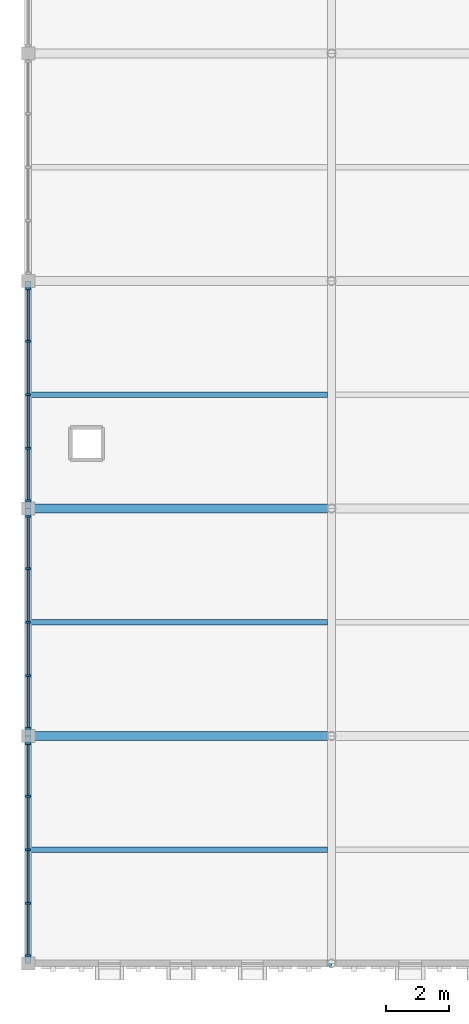
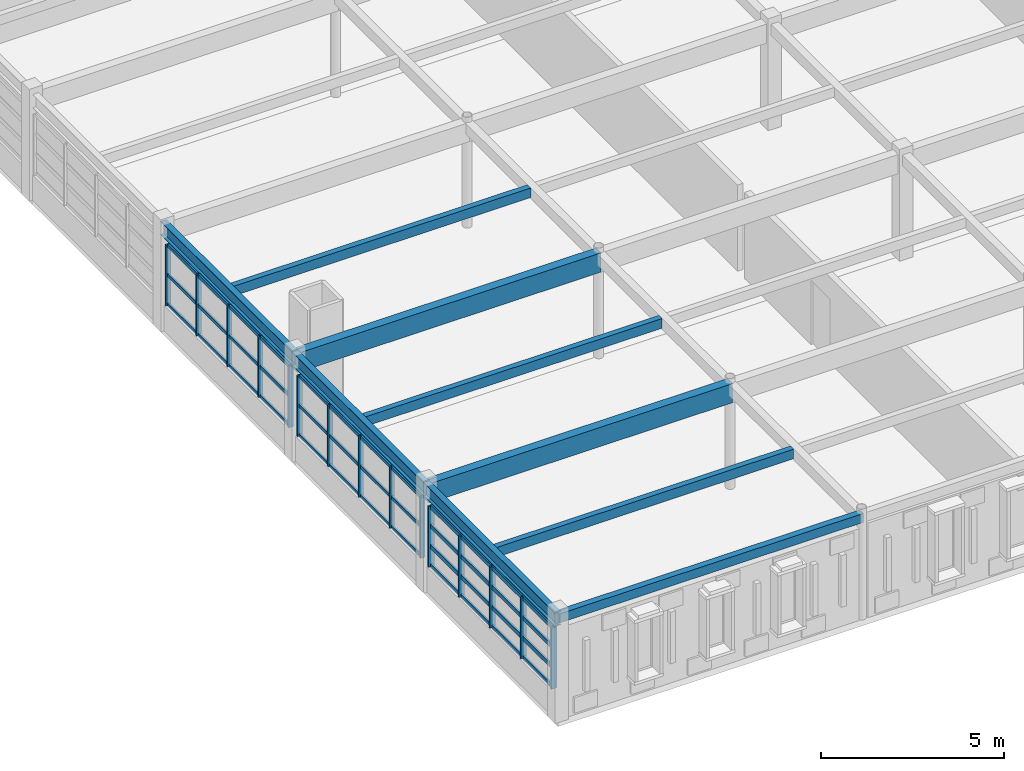
# One storey, part 5 of 25: 55 members, 9 beams, 3 elements without a shape of their own.
"""IFC4 building model written with IfcOpenShell, lengths in metres."""

import ifcopenshell
import ifcopenshell.guid

model = None  # the IFC model being written
_history = None  # IfcOwnerHistory: only IFC2X3 demands one
_inside = {}  # id of a spatial element -> (the spatial element, [elements in it])
_under = {}  # id of a project, library or spatial element -> (it, [spatial elements below it])
_declared = {}  # id of a project -> (the project, [libraries it declares])
_typed = {}  # id of a type object -> (the type object, [elements of that type])
_made_of = {}  # id of a material, layer set ... -> (it, [elements and type objects made of it])


def new_model(schema):
    """Start an empty IFC model of exactly this schema.

    Asked for "IFC4X3", IfcOpenShell would pick the latest addendum, in which some entities
    have other attributes; the version numbers below select the first issue.
    IFC2X3 requires an IfcOwnerHistory on every rooted entity: one is made here for all.
    """
    global model, _history
    if schema == "IFC4X3":
        model = ifcopenshell.file(schema_version=(4, 3, 0, 0))
    else:
        model = ifcopenshell.file(schema=schema)
    _inside.clear()
    _under.clear()
    _declared.clear()
    _typed.clear()
    _made_of.clear()
    _history = None
    if model.schema == "IFC2X3":
        org = make("IfcOrganization", Name="unknown")
        user = make(
            "IfcPersonAndOrganization",
            ThePerson=make("IfcPerson", FamilyName="unknown"),
            TheOrganization=org,
        )
        app = make(
            "IfcApplication",
            ApplicationDeveloper=org,
            Version="unknown",
            ApplicationFullName="unknown",
            ApplicationIdentifier="unknown",
        )
        _history = make(
            "IfcOwnerHistory",
            OwningUser=user,
            OwningApplication=app,
            ChangeAction="ADDED",
            CreationDate=0,
        )
    return model


def make(cls, **values):
    """One entity of the class cls with the attributes given. An attribute that is None is left unset."""
    return model.create_entity(
        cls, **{name: value for name, value in values.items() if value is not None}
    )


def rooted(cls, **values):
    """An entity with a GlobalId (a new one), such as an element, a storey or a relation."""
    return make(cls, GlobalId=ifcopenshell.guid.new(), OwnerHistory=_history, **values)


def si_unit(unit_type, name, prefix=None):
    """IfcSIUnit, for example si_unit("LENGTHUNIT", "METRE", prefix="MILLI")."""
    return make("IfcSIUnit", UnitType=unit_type, Prefix=prefix, Name=name)


def assignment(units):
    """IfcUnitAssignment: the units of a project."""
    return None if units is None else make("IfcUnitAssignment", Units=units)


def point(xyz):
    """IfcCartesianPoint."""
    return None if xyz is None else make("IfcCartesianPoint", Coordinates=xyz)


def direction(xyz):
    """IfcDirection."""
    return None if xyz is None else make("IfcDirection", DirectionRatios=xyz)


def frame(location, z_axis=None, x_axis=None):
    """IfcAxis2Placement3D, a coordinate frame: its origin and axes. An axis left out is left unset."""
    return make(
        "IfcAxis2Placement3D",
        Location=point(location),
        Axis=direction(z_axis),
        RefDirection=direction(x_axis),
    )


def frame_2d(location, x_axis=None):
    """IfcAxis2Placement2D, a coordinate frame in the plane: its origin and x axis."""
    return make(
        "IfcAxis2Placement2D", Location=point(location), RefDirection=direction(x_axis)
    )


def origin():
    """The frame at (0, 0, 0) with its axes left unset."""
    return frame((0.0, 0.0, 0.0))


def origin_2d():
    """The frame at (0, 0) in the plane with its x axis left unset."""
    return frame_2d((0.0, 0.0))


def place(relative_to, where):
    """IfcLocalPlacement: puts the frame where relative to a parent placement (None: the world)."""
    return make(
        "IfcLocalPlacement", PlacementRelTo=relative_to, RelativePlacement=where
    )


def context(
    kind, dimensions, precision=None, world=None, true_north=None, identifier=None
):
    """IfcGeometricRepresentationContext, for example the 3D "Model" context."""
    return make(
        "IfcGeometricRepresentationContext",
        ContextIdentifier=identifier,
        ContextType=kind,
        CoordinateSpaceDimension=dimensions,
        Precision=precision,
        WorldCoordinateSystem=world,
        TrueNorth=true_north,
    )


def subcontext(parent, identifier, kind, view, scale=None):
    """IfcGeometricRepresentationSubContext, for example "Body" below "Model"."""
    return make(
        "IfcGeometricRepresentationSubContext",
        ContextIdentifier=identifier,
        ContextType=kind,
        ParentContext=parent,
        TargetScale=scale,
        TargetView=view,
    )


def project(units=None, contexts=None):
    """IfcProject with its units and contexts."""
    return rooted(
        "IfcProject",
        Name="project",
        RepresentationContexts=contexts,
        UnitsInContext=assignment(units),
    )


def spatial(cls, under=None, at=None, **own):
    """A site, building, storey or space (cls), placed at a placement, below another one or the project."""
    s = rooted(cls, ObjectPlacement=at, **own)
    if under is not None:
        _under.setdefault(under.id(), (under, []))[1].append(s)
    return s


def profile(cls, at=None, kind="AREA", **sizes):
    """A parametric profile (cls). Its sizes go by their IFC names, for example OverallWidth=200.0."""
    return make(cls, ProfileType=kind, Position=at, **sizes)


def rectangle(**sizes):
    """IfcRectangleProfileDef."""
    return profile("IfcRectangleProfileDef", **sizes)


def hollow_rectangle(**sizes):
    """IfcRectangleHollowProfileDef."""
    return profile("IfcRectangleHollowProfileDef", **sizes)


def i_section(**sizes):
    """IfcIShapeProfileDef."""
    return profile("IfcIShapeProfileDef", **sizes)


def extrude(swept, where, along, depth):
    """IfcExtrudedAreaSolid: the profile swept, set in the frame where, extruded along a direction by depth."""
    return make(
        "IfcExtrudedAreaSolid",
        SweptArea=swept,
        Position=where,
        ExtrudedDirection=direction(along),
        Depth=depth,
    )


def shape(context_of_items, identifier, shape_type, items):
    """IfcShapeRepresentation: the items that make up one representation, for example the "Body"."""
    return make(
        "IfcShapeRepresentation",
        ContextOfItems=context_of_items,
        RepresentationIdentifier=identifier,
        RepresentationType=shape_type,
        Items=items,
    )


def material(Name=None, Category=None):
    """IfcMaterial."""
    return make("IfcMaterial", Name=Name, Category=Category)


def material_profile(
    of_material, cross_section, Name=None, Category=None, Priority=None
):
    """IfcMaterialProfile: a cross section and its material."""
    return make(
        "IfcMaterialProfile",
        Name=Name,
        Material=of_material,
        Profile=cross_section,
        Priority=Priority,
        Category=Category,
    )


def profile_set(profiles, Name=None, composite=None):
    """IfcMaterialProfileSet."""
    return make(
        "IfcMaterialProfileSet",
        Name=Name,
        MaterialProfiles=profiles,
        CompositeProfile=composite,
    )


def made_of(thing, what):
    """Note that an element or type object is made of a material, layer set ...; save() writes the relation."""
    if what is not None:
        _made_of.setdefault(what.id(), (what, []))[1].append(thing)
    return thing


def type_object(cls, material=None, **own):
    """A type object (cls), such as IfcWallType, which elements share."""
    return made_of(rooted(cls, **own), material)


def element(
    cls,
    number,
    at=None,
    inside=None,
    cuts=None,
    type_object=None,
    material=None,
    context=None,
    identifier="Body",
    shape_type=None,
    held_by="IfcProductDefinitionShape",
    body=None,
    shapes=None,
    **own,
):
    """One element of the class cls, such as IfcWall. Its Tag is "e" and its number.

    at: its placement. inside: the storey or other place that contains it. cuts: it is an
    opening in that element (IfcRelVoidsElement). A single representation is given by context,
    identifier, shape_type and body (its items); several are given by shapes. held_by: the class
    of the entity that holds the representations. save() writes the other relations.
    """
    e = rooted(cls, Tag="e%d" % number, ObjectPlacement=at, **own)
    if body is not None:
        shapes = [shape(context, identifier, shape_type, body)]
    if shapes is not None:
        e.Representation = make(held_by, Representations=shapes)
    if inside is not None:
        _inside.setdefault(inside.id(), (inside, []))[1].append(e)
    if cuts is not None:
        rooted(
            "IfcRelVoidsElement", RelatingBuildingElement=cuts, RelatedOpeningElement=e
        )
    if type_object is not None:
        _typed.setdefault(type_object.id(), (type_object, []))[1].append(e)
    return made_of(e, material)


def aggregate(whole, parts):
    """IfcRelAggregates: a whole, such as a stair, and the parts it consists of."""
    return rooted("IfcRelAggregates", RelatingObject=whole, RelatedObjects=parts)


def save(model, path):
    """Write the relations noted so far, then the file.

    IfcRelAggregates (storeys below a building ...), IfcRelContainedInSpatialStructure (elements
    in a storey), IfcRelDefinesByType, IfcRelAssociatesMaterial and IfcRelDeclares: one each for
    every whole, place, type object, material and project.
    """
    for whole, parts in _under.values():
        aggregate(whole, parts)
    for where, things in _inside.values():
        rooted(
            "IfcRelContainedInSpatialStructure",
            RelatedElements=things,
            RelatingStructure=where,
        )
    for kind, things in _typed.values():
        rooted("IfcRelDefinesByType", RelatedObjects=things, RelatingType=kind)
    for what, things in _made_of.values():
        rooted("IfcRelAssociatesMaterial", RelatedObjects=things, RelatingMaterial=what)
    for by, libraries in _declared.values():
        rooted("IfcRelDeclares", RelatingContext=by, RelatedDefinitions=libraries)
    model.write(path)


model = new_model("IFC4")

# Units and contexts
model_context = context("Model", 3, precision=1e-05, world=origin(), true_north=direction((0.0, 1.0)))
body_context = subcontext(model_context, "Body", "Model", "MODEL_VIEW")
ifc_project = project(units=[si_unit("LENGTHUNIT", "METRE"), si_unit("AREAUNIT", "SQUARE_METRE"), si_unit("VOLUMEUNIT", "CUBIC_METRE"), si_unit("PLANEANGLEUNIT", "RADIAN"), si_unit("MASSUNIT", "GRAM", prefix="KILO")], contexts=[model_context])

# Site, building, storey
site_placement = place(None, origin())
site = spatial("IfcSite", under=ifc_project, at=site_placement, CompositionType="ELEMENT")
building_placement = place(site_placement, origin())
building = spatial("IfcBuilding", under=site, at=building_placement, Name="Nzembalo Square Collegiate School", CompositionType="ELEMENT")
storey_placement = place(building_placement, frame((0.0, 0.0, 21.080078125)))
storey = spatial("IfcBuildingStorey", under=building, at=storey_placement, Name="L05", CompositionType="ELEMENT", Elevation=21.080078125)

# Beams
ifc_material_1 = material(Name="Glulam GL32h", Category="wood")
ifc_material_profile_1 = material_profile(ifc_material_1, rectangle(XDim=0.280029296875, YDim=0.639892578125, at=origin_2d()), Name="GL32h 280x640")
ifc_profile_set_1 = profile_set([ifc_material_profile_1], Name="Glulam GL32h")
beam_type_1 = type_object("IfcBeamType", Name="B04", PredefinedType="BEAM", material=ifc_profile_set_1)
for number, where, z_axis, x_axis, name in (
    (1, (130.800048828125, 15.60009765625, 3.2099609375), (1.0, 0.0, 0.0), (0.0, 1.0, 0.0), "Beam B04 L05"),
    (2, (130.800048828125, 22.800048828125, 3.2099609375), (1.0, 0.0, 0.0), (0.0, 1.0, 0.0), "Beam B04 L05"),
):
    element("IfcBeam", number, at=place(storey_placement, frame(where, z_axis=z_axis, x_axis=x_axis)), inside=storey, type_object=beam_type_1, Name=name, PredefinedType="BEAM", context=body_context, shape_type="SweptSolid", body=[
        extrude(rectangle(XDim=0.280029296875, YDim=0.639892578125, at=origin_2d()), origin(), (0.0, 0.0, 1.0), 9.599853515625),
    ])
ifc_material_2 = material(Name="Steel S355", Category="steel")
ifc_material_profile_2 = material_profile(ifc_material_2, i_section(OverallWidth=0.18994140625, OverallDepth=0.449951171875, WebThickness=0.009521484375, FlangeThickness=0.0146484375, at=origin_2d()), Name="IPE 450")
ifc_profile_set_2 = profile_set([ifc_material_profile_2], Name="Steel S355")
beam_type_2 = type_object("IfcBeamType", Name="B09", PredefinedType="BEAM", material=ifc_profile_set_2)
beam_1_placement = place(storey_placement, frame((130.800048828125, 8.39990234375, 3.304931640625), z_axis=(0.0, 1.0, 0.0), x_axis=(-1.0, 0.0, 0.0)))
element("IfcBeam", 3, at=beam_1_placement, inside=storey, type_object=beam_type_2, Name="Beam B09 L05", PredefinedType="BEAM", context=body_context, shape_type="SweptSolid", body=[
    extrude(i_section(OverallWidth=0.18994140625, OverallDepth=0.449951171875, WebThickness=0.009521484375, FlangeThickness=0.0146484375, at=origin_2d()), origin(), (0.0, 0.0, 1.0), 7.2001953125),
])
for number, where, z_axis, x_axis, name in (
    (4, (130.800048828125, 15.60009765625, 3.304931640625), (0.0, 1.0, 0.0), (-1.0, 0.0, 0.0), "Beam B09 L05"),
    (5, (130.800048828125, 22.800048828125, 3.304931640625), (0.0, 1.0, 0.0), (-1.0, 0.0, 0.0), "Beam B09 L05"),
):
    element("IfcBeam", number, at=place(storey_placement, frame(where, z_axis=z_axis, x_axis=x_axis)), inside=storey, type_object=beam_type_2, Name=name, PredefinedType="BEAM", context=body_context, shape_type="SweptSolid", body=[
        extrude(i_section(OverallWidth=0.18994140625, OverallDepth=0.449951171875, WebThickness=0.009521484375, FlangeThickness=0.0146484375, at=origin_2d()), origin(), (0.0, 0.0, 1.0), 7.199951171875),
    ])
ifc_material_3 = material(Name="Glulam GL28h", Category="wood")
ifc_material_profile_3 = material_profile(ifc_material_3, rectangle(XDim=0.179931640625, YDim=0.320068359375, at=origin_2d()), Name="GL28h 180x320")
ifc_profile_set_3 = profile_set([ifc_material_profile_3], Name="Glulam GL28h")
beam_type_3 = type_object("IfcBeamType", Name="J02", PredefinedType="JOIST", material=ifc_profile_set_3)
for number, where, z_axis, x_axis, name in (
    (6, (130.89501953125, 12.0, 3.369873046875), (1.0, 0.0, 0.0), (0.0, 1.0, 0.0), "Secondary joist J02 L05"),
    (7, (130.89501953125, 19.199951171875, 3.369873046875), (1.0, 0.0, 0.0), (0.0, 1.0, 0.0), "Secondary joist J02 L05"),
    (8, (130.89501953125, 26.39990234375, 3.369873046875), (1.0, 0.0, 0.0), (0.0, 1.0, 0.0), "Secondary joist J02 L05"),
):
    element("IfcBeam", number, at=place(storey_placement, frame(where, z_axis=z_axis, x_axis=x_axis)), inside=storey, type_object=beam_type_3, Name=name, PredefinedType="JOIST", context=body_context, shape_type="SweptSolid", body=[
        extrude(rectangle(XDim=0.179931640625, YDim=0.320068359375, at=origin_2d()), origin(), (0.0, 0.0, 1.0), 9.385009765625),
    ])
ifc_material_4 = material(Name="Steel S355", Category="steel")
ifc_material_profile_4 = material_profile(ifc_material_4, hollow_rectangle(XDim=0.199951171875, YDim=0.300048828125, WallThickness=0.011962890625, at=origin_2d()), Name="RHS 300x200x12")
ifc_profile_set_4 = profile_set([ifc_material_profile_4], Name="Steel S355")
beam_type_4 = type_object("IfcBeamType", Name="SP03", PredefinedType="SPANDREL", material=ifc_profile_set_4)
beam_2_placement = place(storey_placement, frame((130.800048828125, 8.39990234375, 3.3798828125), z_axis=(1.0, 0.0, 0.0), x_axis=(0.0, 1.0, 0.0)))
element("IfcBeam", 9, at=beam_2_placement, inside=storey, type_object=beam_type_4, Name="Beam SP03 L05", PredefinedType="SPANDREL", context=body_context, shape_type="SweptSolid", body=[
    extrude(hollow_rectangle(XDim=0.199951171875, YDim=0.300048828125, WallThickness=0.011962890625, at=origin_2d()), origin(), (0.0, 0.0, 1.0), 9.599853515625),
])

# Curtain wall, members
ifc_material_5 = material(Name="Aluminium 6060-T66", Category="aluminium")
curtain_wall_type_1 = type_object("IfcCurtainWallType", Name="CW-02", PredefinedType="USERDEFINED", material=ifc_material_5)
curtain_wall_1_placement = place(storey_placement, origin())
curtain_wall_1 = element("IfcCurtainWall", 10, at=curtain_wall_1_placement, inside=storey, type_object=curtain_wall_type_1, Name="Curtain wall CW-02 cw:L05:153", ObjectType="UNITISED", PredefinedType="USERDEFINED")
ifc_material_6 = material(Name="Aluminium 6060-T66", Category="aluminium")
ifc_material_profile_5 = material_profile(ifc_material_6, rectangle(XDim=0.06005859375, YDim=0.179931640625, at=origin_2d()), Name="ALU M60x180")
ifc_profile_set_5 = profile_set([ifc_material_profile_5], Name="Aluminium 6060-T66")
member_type_1 = type_object("IfcMemberType", Name="ML01", PredefinedType="MULLION", material=ifc_profile_set_5)
member_1_placement = place(storey_placement, frame((130.800048828125, 8.64208984375, 0.849853515625), z_axis=(0.0, 0.0, 1.0), x_axis=(0.0, 1.0, 0.0)))
member_1 = element("IfcMember", 11, at=member_1_placement, type_object=member_type_1, Name="ML01 mullion 1", PredefinedType="MULLION", context=body_context, shape_type="SweptSolid", body=[
    extrude(rectangle(XDim=0.06005859375, YDim=0.179931640625, at=origin_2d()), origin(), (0.0, 0.0, 1.0), 2.0341796875),
])
member_2_placement = place(storey_placement, frame((130.800048828125, 10.305908203125, 0.849853515625), z_axis=(0.0, 0.0, 1.0), x_axis=(0.0, 1.0, 0.0)))
member_2 = element("IfcMember", 12, at=member_2_placement, type_object=member_type_1, Name="ML01 mullion 2", PredefinedType="MULLION", context=body_context, shape_type="SweptSolid", body=[
    extrude(rectangle(XDim=0.06005859375, YDim=0.179931640625, at=origin_2d()), origin(), (0.0, 0.0, 1.0), 2.0341796875),
])
member_3_placement = place(storey_placement, frame((130.800048828125, 12.0, 0.849853515625), z_axis=(0.0, 0.0, 1.0), x_axis=(0.0, 1.0, 0.0)))
member_3 = element("IfcMember", 13, at=member_3_placement, type_object=member_type_1, Name="ML01 mullion 3", PredefinedType="MULLION", context=body_context, shape_type="SweptSolid", body=[
    extrude(rectangle(XDim=0.06005859375, YDim=0.179931640625, at=origin_2d()), origin(), (0.0, 0.0, 1.0), 2.0341796875),
])
member_4_placement = place(storey_placement, frame((130.800048828125, 13.694091796875, 0.849853515625), z_axis=(0.0, 0.0, 1.0), x_axis=(0.0, 1.0, 0.0)))
member_4 = element("IfcMember", 14, at=member_4_placement, type_object=member_type_1, Name="ML01 mullion 4", PredefinedType="MULLION", context=body_context, shape_type="SweptSolid", body=[
    extrude(rectangle(XDim=0.06005859375, YDim=0.179931640625, at=origin_2d()), origin(), (0.0, 0.0, 1.0), 2.0341796875),
])
member_5_placement = place(storey_placement, frame((130.800048828125, 15.35791015625, 0.849853515625), z_axis=(0.0, 0.0, 1.0), x_axis=(0.0, 1.0, 0.0)))
member_5 = element("IfcMember", 15, at=member_5_placement, type_object=member_type_1, Name="ML01 mullion 5", PredefinedType="MULLION", context=body_context, shape_type="SweptSolid", body=[
    extrude(rectangle(XDim=0.06005859375, YDim=0.179931640625, at=origin_2d()), origin(), (0.0, 0.0, 1.0), 2.0341796875),
])

ifc_material_7 = material(Name="Aluminium 6060-T66", Category="aluminium")
curtain_wall_type_2 = type_object("IfcCurtainWallType", Name="CW-03", PredefinedType="USERDEFINED", material=ifc_material_7)
curtain_wall_2_placement = place(storey_placement, origin())
curtain_wall_2 = element("IfcCurtainWall", 16, at=curtain_wall_2_placement, inside=storey, type_object=curtain_wall_type_2, Name="Curtain wall CW-03 cw:L05:154", ObjectType="UNITISED", PredefinedType="USERDEFINED")
ifc_material_8 = material(Name="Aluminium 6060-T66", Category="aluminium")
ifc_material_profile_6 = material_profile(ifc_material_8, rectangle(XDim=0.06005859375, YDim=0.14990234375, at=origin_2d()), Name="ALU M60x150")
ifc_profile_set_6 = profile_set([ifc_material_profile_6], Name="Aluminium 6060-T66")
member_type_2 = type_object("IfcMemberType", Name="ML02", PredefinedType="MULLION", material=ifc_profile_set_6)
member_6_placement = place(storey_placement, frame((130.800048828125, 15.842041015625, 0.849853515625), z_axis=(0.0, 0.0, 1.0), x_axis=(0.0, 1.0, 0.0)))
member_6 = element("IfcMember", 17, at=member_6_placement, type_object=member_type_2, Name="ML02 mullion 1", PredefinedType="MULLION", context=body_context, shape_type="SweptSolid", body=[
    extrude(rectangle(XDim=0.06005859375, YDim=0.14990234375, at=origin_2d()), origin(), (0.0, 0.0, 1.0), 2.0341796875),
])
member_7_placement = place(storey_placement, frame((130.800048828125, 17.506103515625, 0.849853515625), z_axis=(0.0, 0.0, 1.0), x_axis=(0.0, 1.0, 0.0)))
member_7 = element("IfcMember", 18, at=member_7_placement, type_object=member_type_2, Name="ML02 mullion 2", PredefinedType="MULLION", context=body_context, shape_type="SweptSolid", body=[
    extrude(rectangle(XDim=0.06005859375, YDim=0.14990234375, at=origin_2d()), origin(), (0.0, 0.0, 1.0), 2.0341796875),
])
member_8_placement = place(storey_placement, frame((130.800048828125, 19.199951171875, 0.849853515625), z_axis=(0.0, 0.0, 1.0), x_axis=(0.0, 1.0, 0.0)))
member_8 = element("IfcMember", 19, at=member_8_placement, type_object=member_type_2, Name="ML02 mullion 3", PredefinedType="MULLION", context=body_context, shape_type="SweptSolid", body=[
    extrude(rectangle(XDim=0.06005859375, YDim=0.14990234375, at=origin_2d()), origin(), (0.0, 0.0, 1.0), 2.0341796875),
])
member_9_placement = place(storey_placement, frame((130.800048828125, 20.89404296875, 0.849853515625), z_axis=(0.0, 0.0, 1.0), x_axis=(0.0, 1.0, 0.0)))
member_9 = element("IfcMember", 20, at=member_9_placement, type_object=member_type_2, Name="ML02 mullion 4", PredefinedType="MULLION", context=body_context, shape_type="SweptSolid", body=[
    extrude(rectangle(XDim=0.06005859375, YDim=0.14990234375, at=origin_2d()), origin(), (0.0, 0.0, 1.0), 2.0341796875),
])
member_10_placement = place(storey_placement, frame((130.800048828125, 22.55810546875, 0.849853515625), z_axis=(0.0, 0.0, 1.0), x_axis=(0.0, 1.0, 0.0)))
member_10 = element("IfcMember", 21, at=member_10_placement, type_object=member_type_2, Name="ML02 mullion 5", PredefinedType="MULLION", context=body_context, shape_type="SweptSolid", body=[
    extrude(rectangle(XDim=0.06005859375, YDim=0.14990234375, at=origin_2d()), origin(), (0.0, 0.0, 1.0), 2.0341796875),
])

ifc_material_9 = material(Name="Aluminium 6060-T66", Category="aluminium")
curtain_wall_type_3 = type_object("IfcCurtainWallType", Name="CW-04", PredefinedType="USERDEFINED", material=ifc_material_9)
curtain_wall_3_placement = place(storey_placement, origin())
curtain_wall_3 = element("IfcCurtainWall", 22, at=curtain_wall_3_placement, inside=storey, type_object=curtain_wall_type_3, Name="Curtain wall CW-04 cw:L05:155", ObjectType="UNITISED", PredefinedType="USERDEFINED")
member_11_placement = place(storey_placement, frame((130.800048828125, 23.0419921875, 0.849853515625), z_axis=(0.0, 0.0, 1.0), x_axis=(0.0, 1.0, 0.0)))
member_11 = element("IfcMember", 23, at=member_11_placement, type_object=member_type_2, Name="ML02 mullion 1", PredefinedType="MULLION", context=body_context, shape_type="SweptSolid", body=[
    extrude(rectangle(XDim=0.06005859375, YDim=0.14990234375, at=origin_2d()), origin(), (0.0, 0.0, 1.0), 2.0341796875),
])
member_12_placement = place(storey_placement, frame((130.800048828125, 24.7060546875, 0.849853515625), z_axis=(0.0, 0.0, 1.0), x_axis=(0.0, 1.0, 0.0)))
member_12 = element("IfcMember", 24, at=member_12_placement, type_object=member_type_2, Name="ML02 mullion 2", PredefinedType="MULLION", context=body_context, shape_type="SweptSolid", body=[
    extrude(rectangle(XDim=0.06005859375, YDim=0.14990234375, at=origin_2d()), origin(), (0.0, 0.0, 1.0), 2.0341796875),
])
member_13_placement = place(storey_placement, frame((130.800048828125, 26.39990234375, 0.849853515625), z_axis=(0.0, 0.0, 1.0), x_axis=(0.0, 1.0, 0.0)))
member_13 = element("IfcMember", 25, at=member_13_placement, type_object=member_type_2, Name="ML02 mullion 3", PredefinedType="MULLION", context=body_context, shape_type="SweptSolid", body=[
    extrude(rectangle(XDim=0.06005859375, YDim=0.14990234375, at=origin_2d()), origin(), (0.0, 0.0, 1.0), 2.0341796875),
])
member_14_placement = place(storey_placement, frame((130.800048828125, 28.093994140625, 0.849853515625), z_axis=(0.0, 0.0, 1.0), x_axis=(0.0, 1.0, 0.0)))
member_14 = element("IfcMember", 26, at=member_14_placement, type_object=member_type_2, Name="ML02 mullion 4", PredefinedType="MULLION", context=body_context, shape_type="SweptSolid", body=[
    extrude(rectangle(XDim=0.06005859375, YDim=0.14990234375, at=origin_2d()), origin(), (0.0, 0.0, 1.0), 2.0341796875),
])
member_15_placement = place(storey_placement, frame((130.800048828125, 29.758056640625, 0.849853515625), z_axis=(0.0, 0.0, 1.0), x_axis=(0.0, 1.0, 0.0)))
member_15 = element("IfcMember", 27, at=member_15_placement, type_object=member_type_2, Name="ML02 mullion 5", PredefinedType="MULLION", context=body_context, shape_type="SweptSolid", body=[
    extrude(rectangle(XDim=0.06005859375, YDim=0.14990234375, at=origin_2d()), origin(), (0.0, 0.0, 1.0), 2.0341796875),
])

# Member
ifc_material_10 = material(Name="Aluminium 6060-T66", Category="aluminium")
ifc_material_profile_7 = material_profile(ifc_material_10, rectangle(XDim=0.06005859375, YDim=0.139892578125, at=origin_2d()), Name="ALU T60x140")
ifc_profile_set_7 = profile_set([ifc_material_profile_7], Name="Aluminium 6060-T66")
member_type_3 = type_object("IfcMemberType", Name="TR01", PredefinedType="USERDEFINED", material=ifc_profile_set_7)
member_16_placement = place(storey_placement, frame((130.800048828125, 8.672119140625, 0.8798828125), z_axis=(0.0, 1.0, 0.0), x_axis=(-1.0, 0.0, 0.0)))
member_16 = element("IfcMember", 28, at=member_16_placement, type_object=member_type_3, Name="TR01 transom 1-1", ObjectType="TRANSOM", PredefinedType="USERDEFINED", context=body_context, shape_type="SweptSolid", body=[
    extrude(rectangle(XDim=0.06005859375, YDim=0.139892578125, at=origin_2d()), origin(), (0.0, 0.0, 1.0), 1.603759765625),
])

member_17_placement = place(storey_placement, frame((130.800048828125, 10.3359375, 0.8798828125), z_axis=(0.0, 1.0, 0.0), x_axis=(-1.0, 0.0, 0.0)))
member_17 = element("IfcMember", 29, at=member_17_placement, type_object=member_type_3, Name="TR01 transom 1-2", ObjectType="TRANSOM", PredefinedType="USERDEFINED", context=body_context, shape_type="SweptSolid", body=[
    extrude(rectangle(XDim=0.06005859375, YDim=0.139892578125, at=origin_2d()), origin(), (0.0, 0.0, 1.0), 1.634033203125),
])

member_18_placement = place(storey_placement, frame((130.800048828125, 12.030029296875, 0.8798828125), z_axis=(0.0, 1.0, 0.0), x_axis=(-1.0, 0.0, 0.0)))
member_18 = element("IfcMember", 30, at=member_18_placement, type_object=member_type_3, Name="TR01 transom 1-3", ObjectType="TRANSOM", PredefinedType="USERDEFINED", context=body_context, shape_type="SweptSolid", body=[
    extrude(rectangle(XDim=0.06005859375, YDim=0.139892578125, at=origin_2d()), origin(), (0.0, 0.0, 1.0), 1.634033203125),
])

member_19_placement = place(storey_placement, frame((130.800048828125, 13.72412109375, 0.8798828125), z_axis=(0.0, 1.0, 0.0), x_axis=(-1.0, 0.0, 0.0)))
member_19 = element("IfcMember", 31, at=member_19_placement, type_object=member_type_3, Name="TR01 transom 1-4", ObjectType="TRANSOM", PredefinedType="USERDEFINED", context=body_context, shape_type="SweptSolid", body=[
    extrude(rectangle(XDim=0.06005859375, YDim=0.139892578125, at=origin_2d()), origin(), (0.0, 0.0, 1.0), 1.603759765625),
])

member_20_placement = place(storey_placement, frame((130.800048828125, 8.672119140625, 1.52783203125), z_axis=(0.0, 1.0, 0.0), x_axis=(-1.0, 0.0, 0.0)))
member_20 = element("IfcMember", 32, at=member_20_placement, type_object=member_type_3, Name="TR01 transom 2-1", ObjectType="TRANSOM", PredefinedType="USERDEFINED", context=body_context, shape_type="SweptSolid", body=[
    extrude(rectangle(XDim=0.06005859375, YDim=0.139892578125, at=origin_2d()), origin(), (0.0, 0.0, 1.0), 1.603759765625),
])

member_21_placement = place(storey_placement, frame((130.800048828125, 10.3359375, 1.52783203125), z_axis=(0.0, 1.0, 0.0), x_axis=(-1.0, 0.0, 0.0)))
member_21 = element("IfcMember", 33, at=member_21_placement, type_object=member_type_3, Name="TR01 transom 2-2", ObjectType="TRANSOM", PredefinedType="USERDEFINED", context=body_context, shape_type="SweptSolid", body=[
    extrude(rectangle(XDim=0.06005859375, YDim=0.139892578125, at=origin_2d()), origin(), (0.0, 0.0, 1.0), 1.634033203125),
])

member_22_placement = place(storey_placement, frame((130.800048828125, 12.030029296875, 1.52783203125), z_axis=(0.0, 1.0, 0.0), x_axis=(-1.0, 0.0, 0.0)))
member_22 = element("IfcMember", 34, at=member_22_placement, type_object=member_type_3, Name="TR01 transom 2-3", ObjectType="TRANSOM", PredefinedType="USERDEFINED", context=body_context, shape_type="SweptSolid", body=[
    extrude(rectangle(XDim=0.06005859375, YDim=0.139892578125, at=origin_2d()), origin(), (0.0, 0.0, 1.0), 1.634033203125),
])

member_23_placement = place(storey_placement, frame((130.800048828125, 13.72412109375, 1.52783203125), z_axis=(0.0, 1.0, 0.0), x_axis=(-1.0, 0.0, 0.0)))
member_23 = element("IfcMember", 35, at=member_23_placement, type_object=member_type_3, Name="TR01 transom 2-4", ObjectType="TRANSOM", PredefinedType="USERDEFINED", context=body_context, shape_type="SweptSolid", body=[
    extrude(rectangle(XDim=0.06005859375, YDim=0.139892578125, at=origin_2d()), origin(), (0.0, 0.0, 1.0), 1.603759765625),
])

member_24_placement = place(storey_placement, frame((130.800048828125, 8.672119140625, 2.205810546875), z_axis=(0.0, 1.0, 0.0), x_axis=(-1.0, 0.0, 0.0)))
member_24 = element("IfcMember", 36, at=member_24_placement, type_object=member_type_3, Name="TR01 transom 3-1", ObjectType="TRANSOM", PredefinedType="USERDEFINED", context=body_context, shape_type="SweptSolid", body=[
    extrude(rectangle(XDim=0.06005859375, YDim=0.139892578125, at=origin_2d()), origin(), (0.0, 0.0, 1.0), 1.603759765625),
])

member_25_placement = place(storey_placement, frame((130.800048828125, 10.3359375, 2.205810546875), z_axis=(0.0, 1.0, 0.0), x_axis=(-1.0, 0.0, 0.0)))
member_25 = element("IfcMember", 37, at=member_25_placement, type_object=member_type_3, Name="TR01 transom 3-2", ObjectType="TRANSOM", PredefinedType="USERDEFINED", context=body_context, shape_type="SweptSolid", body=[
    extrude(rectangle(XDim=0.06005859375, YDim=0.139892578125, at=origin_2d()), origin(), (0.0, 0.0, 1.0), 1.634033203125),
])

member_26_placement = place(storey_placement, frame((130.800048828125, 12.030029296875, 2.205810546875), z_axis=(0.0, 1.0, 0.0), x_axis=(-1.0, 0.0, 0.0)))
member_26 = element("IfcMember", 38, at=member_26_placement, type_object=member_type_3, Name="TR01 transom 3-3", ObjectType="TRANSOM", PredefinedType="USERDEFINED", context=body_context, shape_type="SweptSolid", body=[
    extrude(rectangle(XDim=0.06005859375, YDim=0.139892578125, at=origin_2d()), origin(), (0.0, 0.0, 1.0), 1.634033203125),
])

member_27_placement = place(storey_placement, frame((130.800048828125, 13.72412109375, 2.205810546875), z_axis=(0.0, 1.0, 0.0), x_axis=(-1.0, 0.0, 0.0)))
member_27 = element("IfcMember", 39, at=member_27_placement, type_object=member_type_3, Name="TR01 transom 3-4", ObjectType="TRANSOM", PredefinedType="USERDEFINED", context=body_context, shape_type="SweptSolid", body=[
    extrude(rectangle(XDim=0.06005859375, YDim=0.139892578125, at=origin_2d()), origin(), (0.0, 0.0, 1.0), 1.603759765625),
])

member_28_placement = place(storey_placement, frame((130.800048828125, 8.672119140625, 2.85400390625), z_axis=(0.0, 1.0, 0.0), x_axis=(-1.0, 0.0, 0.0)))
member_28 = element("IfcMember", 40, at=member_28_placement, type_object=member_type_3, Name="TR01 transom 4-1", ObjectType="TRANSOM", PredefinedType="USERDEFINED", context=body_context, shape_type="SweptSolid", body=[
    extrude(rectangle(XDim=0.06005859375, YDim=0.139892578125, at=origin_2d()), origin(), (0.0, 0.0, 1.0), 1.603759765625),
])

member_29_placement = place(storey_placement, frame((130.800048828125, 10.3359375, 2.85400390625), z_axis=(0.0, 1.0, 0.0), x_axis=(-1.0, 0.0, 0.0)))
member_29 = element("IfcMember", 41, at=member_29_placement, type_object=member_type_3, Name="TR01 transom 4-2", ObjectType="TRANSOM", PredefinedType="USERDEFINED", context=body_context, shape_type="SweptSolid", body=[
    extrude(rectangle(XDim=0.06005859375, YDim=0.139892578125, at=origin_2d()), origin(), (0.0, 0.0, 1.0), 1.634033203125),
])

member_30_placement = place(storey_placement, frame((130.800048828125, 12.030029296875, 2.85400390625), z_axis=(0.0, 1.0, 0.0), x_axis=(-1.0, 0.0, 0.0)))
member_30 = element("IfcMember", 42, at=member_30_placement, type_object=member_type_3, Name="TR01 transom 4-3", ObjectType="TRANSOM", PredefinedType="USERDEFINED", context=body_context, shape_type="SweptSolid", body=[
    extrude(rectangle(XDim=0.06005859375, YDim=0.139892578125, at=origin_2d()), origin(), (0.0, 0.0, 1.0), 1.634033203125),
])

member_31_placement = place(storey_placement, frame((130.800048828125, 13.72412109375, 2.85400390625), z_axis=(0.0, 1.0, 0.0), x_axis=(-1.0, 0.0, 0.0)))
member_31 = element("IfcMember", 43, at=member_31_placement, type_object=member_type_3, Name="TR01 transom 4-4", ObjectType="TRANSOM", PredefinedType="USERDEFINED", context=body_context, shape_type="SweptSolid", body=[
    extrude(rectangle(XDim=0.06005859375, YDim=0.139892578125, at=origin_2d()), origin(), (0.0, 0.0, 1.0), 1.603759765625),
])

aggregate(curtain_wall_1, [member_1, member_2, member_3, member_4, member_5, member_16, member_17, member_18, member_19, member_20, member_21, member_22, member_23, member_24, member_25, member_26, member_27, member_28, member_29, member_30, member_31])

ifc_material_11 = material(Name="Aluminium 6060-T66", Category="aluminium")
ifc_material_profile_8 = material_profile(ifc_material_11, rectangle(XDim=0.06005859375, YDim=0.110107421875, at=origin_2d()), Name="ALU T60x110")
ifc_profile_set_8 = profile_set([ifc_material_profile_8], Name="Aluminium 6060-T66")
member_type_4 = type_object("IfcMemberType", Name="TR02", PredefinedType="USERDEFINED", material=ifc_profile_set_8)
member_32_placement = place(storey_placement, frame((130.800048828125, 15.8720703125, 0.8798828125), z_axis=(0.0, 1.0, 0.0), x_axis=(-1.0, 0.0, 0.0)))
member_32 = element("IfcMember", 44, at=member_32_placement, type_object=member_type_4, Name="TR02 transom 1-1", ObjectType="TRANSOM", PredefinedType="USERDEFINED", context=body_context, shape_type="SweptSolid", body=[
    extrude(rectangle(XDim=0.06005859375, YDim=0.110107421875, at=origin_2d()), origin(), (0.0, 0.0, 1.0), 1.60400390625),
])

member_33_placement = place(storey_placement, frame((130.800048828125, 17.535888671875, 0.8798828125), z_axis=(0.0, 1.0, 0.0), x_axis=(-1.0, 0.0, 0.0)))
member_33 = element("IfcMember", 45, at=member_33_placement, type_object=member_type_4, Name="TR02 transom 1-2", ObjectType="TRANSOM", PredefinedType="USERDEFINED", context=body_context, shape_type="SweptSolid", body=[
    extrude(rectangle(XDim=0.06005859375, YDim=0.110107421875, at=origin_2d()), origin(), (0.0, 0.0, 1.0), 1.634033203125),
])

member_34_placement = place(storey_placement, frame((130.800048828125, 19.22998046875, 0.8798828125), z_axis=(0.0, 1.0, 0.0), x_axis=(-1.0, 0.0, 0.0)))
member_34 = element("IfcMember", 46, at=member_34_placement, type_object=member_type_4, Name="TR02 transom 1-3", ObjectType="TRANSOM", PredefinedType="USERDEFINED", context=body_context, shape_type="SweptSolid", body=[
    extrude(rectangle(XDim=0.06005859375, YDim=0.110107421875, at=origin_2d()), origin(), (0.0, 0.0, 1.0), 1.634033203125),
])

member_35_placement = place(storey_placement, frame((130.800048828125, 20.924072265625, 0.8798828125), z_axis=(0.0, 1.0, 0.0), x_axis=(-1.0, 0.0, 0.0)))
member_35 = element("IfcMember", 47, at=member_35_placement, type_object=member_type_4, Name="TR02 transom 1-4", ObjectType="TRANSOM", PredefinedType="USERDEFINED", context=body_context, shape_type="SweptSolid", body=[
    extrude(rectangle(XDim=0.06005859375, YDim=0.110107421875, at=origin_2d()), origin(), (0.0, 0.0, 1.0), 1.60400390625),
])

member_36_placement = place(storey_placement, frame((130.800048828125, 15.8720703125, 1.866943359375), z_axis=(0.0, 1.0, 0.0), x_axis=(-1.0, 0.0, 0.0)))
member_36 = element("IfcMember", 48, at=member_36_placement, type_object=member_type_4, Name="TR02 transom 2-1", ObjectType="TRANSOM", PredefinedType="USERDEFINED", context=body_context, shape_type="SweptSolid", body=[
    extrude(rectangle(XDim=0.06005859375, YDim=0.110107421875, at=origin_2d()), origin(), (0.0, 0.0, 1.0), 1.60400390625),
])

member_37_placement = place(storey_placement, frame((130.800048828125, 17.535888671875, 1.866943359375), z_axis=(0.0, 1.0, 0.0), x_axis=(-1.0, 0.0, 0.0)))
member_37 = element("IfcMember", 49, at=member_37_placement, type_object=member_type_4, Name="TR02 transom 2-2", ObjectType="TRANSOM", PredefinedType="USERDEFINED", context=body_context, shape_type="SweptSolid", body=[
    extrude(rectangle(XDim=0.06005859375, YDim=0.110107421875, at=origin_2d()), origin(), (0.0, 0.0, 1.0), 1.634033203125),
])

member_38_placement = place(storey_placement, frame((130.800048828125, 19.22998046875, 1.866943359375), z_axis=(0.0, 1.0, 0.0), x_axis=(-1.0, 0.0, 0.0)))
member_38 = element("IfcMember", 50, at=member_38_placement, type_object=member_type_4, Name="TR02 transom 2-3", ObjectType="TRANSOM", PredefinedType="USERDEFINED", context=body_context, shape_type="SweptSolid", body=[
    extrude(rectangle(XDim=0.06005859375, YDim=0.110107421875, at=origin_2d()), origin(), (0.0, 0.0, 1.0), 1.634033203125),
])

member_39_placement = place(storey_placement, frame((130.800048828125, 20.924072265625, 1.866943359375), z_axis=(0.0, 1.0, 0.0), x_axis=(-1.0, 0.0, 0.0)))
member_39 = element("IfcMember", 51, at=member_39_placement, type_object=member_type_4, Name="TR02 transom 2-4", ObjectType="TRANSOM", PredefinedType="USERDEFINED", context=body_context, shape_type="SweptSolid", body=[
    extrude(rectangle(XDim=0.06005859375, YDim=0.110107421875, at=origin_2d()), origin(), (0.0, 0.0, 1.0), 1.60400390625),
])

member_40_placement = place(storey_placement, frame((130.800048828125, 15.8720703125, 2.85400390625), z_axis=(0.0, 1.0, 0.0), x_axis=(-1.0, 0.0, 0.0)))
member_40 = element("IfcMember", 52, at=member_40_placement, type_object=member_type_4, Name="TR02 transom 3-1", ObjectType="TRANSOM", PredefinedType="USERDEFINED", context=body_context, shape_type="SweptSolid", body=[
    extrude(rectangle(XDim=0.06005859375, YDim=0.110107421875, at=origin_2d()), origin(), (0.0, 0.0, 1.0), 1.60400390625),
])

member_41_placement = place(storey_placement, frame((130.800048828125, 17.535888671875, 2.85400390625), z_axis=(0.0, 1.0, 0.0), x_axis=(-1.0, 0.0, 0.0)))
member_41 = element("IfcMember", 53, at=member_41_placement, type_object=member_type_4, Name="TR02 transom 3-2", ObjectType="TRANSOM", PredefinedType="USERDEFINED", context=body_context, shape_type="SweptSolid", body=[
    extrude(rectangle(XDim=0.06005859375, YDim=0.110107421875, at=origin_2d()), origin(), (0.0, 0.0, 1.0), 1.634033203125),
])

member_42_placement = place(storey_placement, frame((130.800048828125, 19.22998046875, 2.85400390625), z_axis=(0.0, 1.0, 0.0), x_axis=(-1.0, 0.0, 0.0)))
member_42 = element("IfcMember", 54, at=member_42_placement, type_object=member_type_4, Name="TR02 transom 3-3", ObjectType="TRANSOM", PredefinedType="USERDEFINED", context=body_context, shape_type="SweptSolid", body=[
    extrude(rectangle(XDim=0.06005859375, YDim=0.110107421875, at=origin_2d()), origin(), (0.0, 0.0, 1.0), 1.634033203125),
])

member_43_placement = place(storey_placement, frame((130.800048828125, 20.924072265625, 2.85400390625), z_axis=(0.0, 1.0, 0.0), x_axis=(-1.0, 0.0, 0.0)))
member_43 = element("IfcMember", 55, at=member_43_placement, type_object=member_type_4, Name="TR02 transom 3-4", ObjectType="TRANSOM", PredefinedType="USERDEFINED", context=body_context, shape_type="SweptSolid", body=[
    extrude(rectangle(XDim=0.06005859375, YDim=0.110107421875, at=origin_2d()), origin(), (0.0, 0.0, 1.0), 1.60400390625),
])

aggregate(curtain_wall_2, [member_6, member_7, member_8, member_9, member_10, member_32, member_33, member_34, member_35, member_36, member_37, member_38, member_39, member_40, member_41, member_42, member_43])

member_44_placement = place(storey_placement, frame((130.800048828125, 23.072021484375, 0.8798828125), z_axis=(0.0, 1.0, 0.0), x_axis=(-1.0, 0.0, 0.0)))
member_44 = element("IfcMember", 56, at=member_44_placement, type_object=member_type_4, Name="TR02 transom 1-1", ObjectType="TRANSOM", PredefinedType="USERDEFINED", context=body_context, shape_type="SweptSolid", body=[
    extrude(rectangle(XDim=0.06005859375, YDim=0.110107421875, at=origin_2d()), origin(), (0.0, 0.0, 1.0), 1.60400390625),
])

member_45_placement = place(storey_placement, frame((130.800048828125, 24.736083984375, 0.8798828125), z_axis=(0.0, 1.0, 0.0), x_axis=(-1.0, 0.0, 0.0)))
member_45 = element("IfcMember", 57, at=member_45_placement, type_object=member_type_4, Name="TR02 transom 1-2", ObjectType="TRANSOM", PredefinedType="USERDEFINED", context=body_context, shape_type="SweptSolid", body=[
    extrude(rectangle(XDim=0.06005859375, YDim=0.110107421875, at=origin_2d()), origin(), (0.0, 0.0, 1.0), 1.634033203125),
])

member_46_placement = place(storey_placement, frame((130.800048828125, 26.429931640625, 0.8798828125), z_axis=(0.0, 1.0, 0.0), x_axis=(-1.0, 0.0, 0.0)))
member_46 = element("IfcMember", 58, at=member_46_placement, type_object=member_type_4, Name="TR02 transom 1-3", ObjectType="TRANSOM", PredefinedType="USERDEFINED", context=body_context, shape_type="SweptSolid", body=[
    extrude(rectangle(XDim=0.06005859375, YDim=0.110107421875, at=origin_2d()), origin(), (0.0, 0.0, 1.0), 1.634033203125),
])

member_47_placement = place(storey_placement, frame((130.800048828125, 28.1240234375, 0.8798828125), z_axis=(0.0, 1.0, 0.0), x_axis=(-1.0, 0.0, 0.0)))
member_47 = element("IfcMember", 59, at=member_47_placement, type_object=member_type_4, Name="TR02 transom 1-4", ObjectType="TRANSOM", PredefinedType="USERDEFINED", context=body_context, shape_type="SweptSolid", body=[
    extrude(rectangle(XDim=0.06005859375, YDim=0.110107421875, at=origin_2d()), origin(), (0.0, 0.0, 1.0), 1.60400390625),
])

member_48_placement = place(storey_placement, frame((130.800048828125, 23.072021484375, 1.866943359375), z_axis=(0.0, 1.0, 0.0), x_axis=(-1.0, 0.0, 0.0)))
member_48 = element("IfcMember", 60, at=member_48_placement, type_object=member_type_4, Name="TR02 transom 2-1", ObjectType="TRANSOM", PredefinedType="USERDEFINED", context=body_context, shape_type="SweptSolid", body=[
    extrude(rectangle(XDim=0.06005859375, YDim=0.110107421875, at=origin_2d()), origin(), (0.0, 0.0, 1.0), 1.60400390625),
])

member_49_placement = place(storey_placement, frame((130.800048828125, 24.736083984375, 1.866943359375), z_axis=(0.0, 1.0, 0.0), x_axis=(-1.0, 0.0, 0.0)))
member_49 = element("IfcMember", 61, at=member_49_placement, type_object=member_type_4, Name="TR02 transom 2-2", ObjectType="TRANSOM", PredefinedType="USERDEFINED", context=body_context, shape_type="SweptSolid", body=[
    extrude(rectangle(XDim=0.06005859375, YDim=0.110107421875, at=origin_2d()), origin(), (0.0, 0.0, 1.0), 1.634033203125),
])

member_50_placement = place(storey_placement, frame((130.800048828125, 26.429931640625, 1.866943359375), z_axis=(0.0, 1.0, 0.0), x_axis=(-1.0, 0.0, 0.0)))
member_50 = element("IfcMember", 62, at=member_50_placement, type_object=member_type_4, Name="TR02 transom 2-3", ObjectType="TRANSOM", PredefinedType="USERDEFINED", context=body_context, shape_type="SweptSolid", body=[
    extrude(rectangle(XDim=0.06005859375, YDim=0.110107421875, at=origin_2d()), origin(), (0.0, 0.0, 1.0), 1.634033203125),
])

member_51_placement = place(storey_placement, frame((130.800048828125, 28.1240234375, 1.866943359375), z_axis=(0.0, 1.0, 0.0), x_axis=(-1.0, 0.0, 0.0)))
member_51 = element("IfcMember", 63, at=member_51_placement, type_object=member_type_4, Name="TR02 transom 2-4", ObjectType="TRANSOM", PredefinedType="USERDEFINED", context=body_context, shape_type="SweptSolid", body=[
    extrude(rectangle(XDim=0.06005859375, YDim=0.110107421875, at=origin_2d()), origin(), (0.0, 0.0, 1.0), 1.60400390625),
])

member_52_placement = place(storey_placement, frame((130.800048828125, 23.072021484375, 2.85400390625), z_axis=(0.0, 1.0, 0.0), x_axis=(-1.0, 0.0, 0.0)))
member_52 = element("IfcMember", 64, at=member_52_placement, type_object=member_type_4, Name="TR02 transom 3-1", ObjectType="TRANSOM", PredefinedType="USERDEFINED", context=body_context, shape_type="SweptSolid", body=[
    extrude(rectangle(XDim=0.06005859375, YDim=0.110107421875, at=origin_2d()), origin(), (0.0, 0.0, 1.0), 1.60400390625),
])

member_53_placement = place(storey_placement, frame((130.800048828125, 24.736083984375, 2.85400390625), z_axis=(0.0, 1.0, 0.0), x_axis=(-1.0, 0.0, 0.0)))
member_53 = element("IfcMember", 65, at=member_53_placement, type_object=member_type_4, Name="TR02 transom 3-2", ObjectType="TRANSOM", PredefinedType="USERDEFINED", context=body_context, shape_type="SweptSolid", body=[
    extrude(rectangle(XDim=0.06005859375, YDim=0.110107421875, at=origin_2d()), origin(), (0.0, 0.0, 1.0), 1.634033203125),
])

member_54_placement = place(storey_placement, frame((130.800048828125, 26.429931640625, 2.85400390625), z_axis=(0.0, 1.0, 0.0), x_axis=(-1.0, 0.0, 0.0)))
member_54 = element("IfcMember", 66, at=member_54_placement, type_object=member_type_4, Name="TR02 transom 3-3", ObjectType="TRANSOM", PredefinedType="USERDEFINED", context=body_context, shape_type="SweptSolid", body=[
    extrude(rectangle(XDim=0.06005859375, YDim=0.110107421875, at=origin_2d()), origin(), (0.0, 0.0, 1.0), 1.634033203125),
])

member_55_placement = place(storey_placement, frame((130.800048828125, 28.1240234375, 2.85400390625), z_axis=(0.0, 1.0, 0.0), x_axis=(-1.0, 0.0, 0.0)))
member_55 = element("IfcMember", 67, at=member_55_placement, type_object=member_type_4, Name="TR02 transom 3-4", ObjectType="TRANSOM", PredefinedType="USERDEFINED", context=body_context, shape_type="SweptSolid", body=[
    extrude(rectangle(XDim=0.06005859375, YDim=0.110107421875, at=origin_2d()), origin(), (0.0, 0.0, 1.0), 1.60400390625),
])

aggregate(curtain_wall_3, [member_11, member_12, member_13, member_14, member_15, member_44, member_45, member_46, member_47, member_48, member_49, member_50, member_51, member_52, member_53, member_54, member_55])

save(model, "model.ifc")
